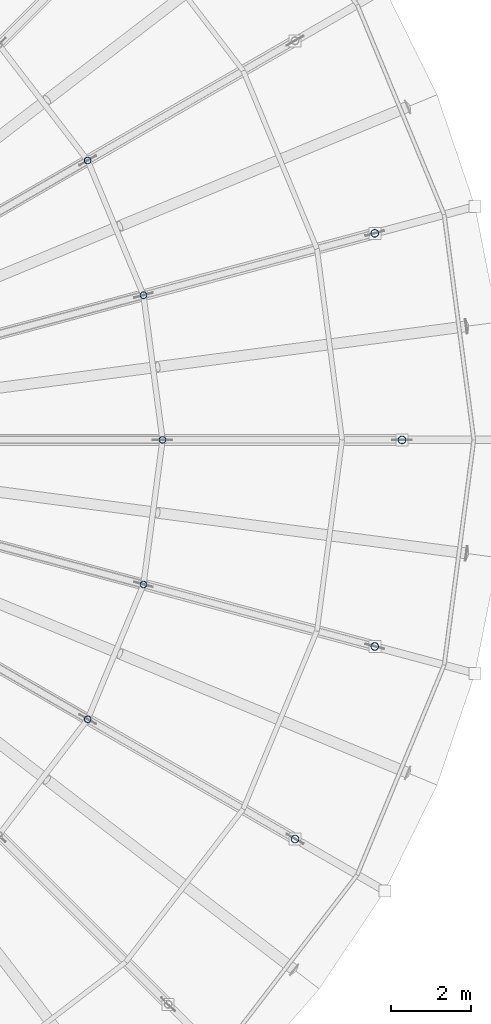
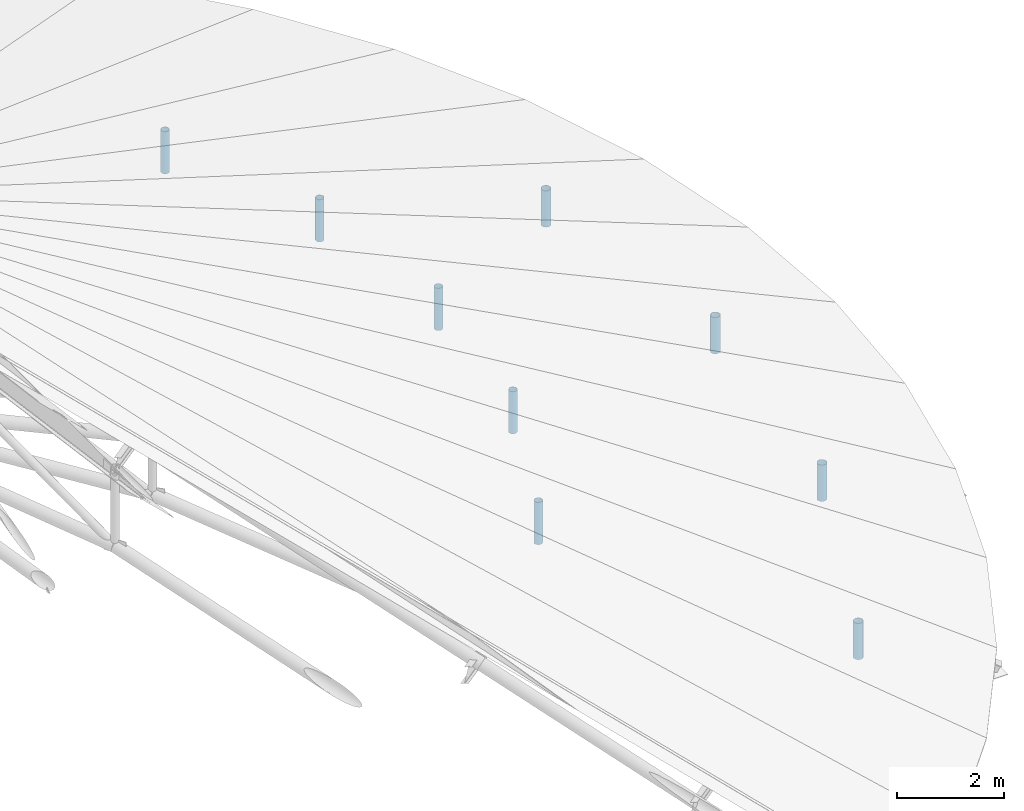
# One storey, part 75 of 107: 9 members.
"""IFC4 building model written with IfcOpenShell, lengths in metres."""

import ifcopenshell
import ifcopenshell.guid

model = None  # the IFC model being written
_history = None  # IfcOwnerHistory: only IFC2X3 demands one
_inside = {}  # id of a spatial element -> (the spatial element, [elements in it])
_under = {}  # id of a project, library or spatial element -> (it, [spatial elements below it])
_declared = {}  # id of a project -> (the project, [libraries it declares])
_typed = {}  # id of a type object -> (the type object, [elements of that type])
_made_of = {}  # id of a material, layer set ... -> (it, [elements and type objects made of it])


def new_model(schema):
    """Start an empty IFC model of exactly this schema.

    Asked for "IFC4X3", IfcOpenShell would pick the latest addendum, in which some entities
    have other attributes; the version numbers below select the first issue.
    IFC2X3 requires an IfcOwnerHistory on every rooted entity: one is made here for all.
    """
    global model, _history
    if schema == "IFC4X3":
        model = ifcopenshell.file(schema_version=(4, 3, 0, 0))
    else:
        model = ifcopenshell.file(schema=schema)
    _inside.clear()
    _under.clear()
    _declared.clear()
    _typed.clear()
    _made_of.clear()
    _history = None
    if model.schema == "IFC2X3":
        org = make("IfcOrganization", Name="unknown")
        user = make(
            "IfcPersonAndOrganization",
            ThePerson=make("IfcPerson", FamilyName="unknown"),
            TheOrganization=org,
        )
        app = make(
            "IfcApplication",
            ApplicationDeveloper=org,
            Version="unknown",
            ApplicationFullName="unknown",
            ApplicationIdentifier="unknown",
        )
        _history = make(
            "IfcOwnerHistory",
            OwningUser=user,
            OwningApplication=app,
            ChangeAction="ADDED",
            CreationDate=0,
        )
    return model


def make(cls, **values):
    """One entity of the class cls with the attributes given. An attribute that is None is left unset."""
    return model.create_entity(
        cls, **{name: value for name, value in values.items() if value is not None}
    )


def rooted(cls, **values):
    """An entity with a GlobalId (a new one), such as an element, a storey or a relation."""
    return make(cls, GlobalId=ifcopenshell.guid.new(), OwnerHistory=_history, **values)


def si_unit(unit_type, name, prefix=None):
    """IfcSIUnit, for example si_unit("LENGTHUNIT", "METRE", prefix="MILLI")."""
    return make("IfcSIUnit", UnitType=unit_type, Prefix=prefix, Name=name)


def derived_unit(unit_type, elements):
    """IfcDerivedUnit: a product of units, each with its exponent."""
    return make(
        "IfcDerivedUnit",
        Elements=[
            make("IfcDerivedUnitElement", Unit=unit, Exponent=power)
            for unit, power in elements
        ],
        UnitType=unit_type,
    )


def assignment(units):
    """IfcUnitAssignment: the units of a project."""
    return None if units is None else make("IfcUnitAssignment", Units=units)


def point(xyz):
    """IfcCartesianPoint."""
    return None if xyz is None else make("IfcCartesianPoint", Coordinates=xyz)


def direction(xyz):
    """IfcDirection."""
    return None if xyz is None else make("IfcDirection", DirectionRatios=xyz)


def frame(location, z_axis=None, x_axis=None):
    """IfcAxis2Placement3D, a coordinate frame: its origin and axes. An axis left out is left unset."""
    return make(
        "IfcAxis2Placement3D",
        Location=point(location),
        Axis=direction(z_axis),
        RefDirection=direction(x_axis),
    )


def frame_2d(location, x_axis=None):
    """IfcAxis2Placement2D, a coordinate frame in the plane: its origin and x axis."""
    return make(
        "IfcAxis2Placement2D", Location=point(location), RefDirection=direction(x_axis)
    )


def origin():
    """The frame at (0, 0, 0) with its axes left unset."""
    return frame((0.0, 0.0, 0.0))


def origin_2d():
    """The frame at (0, 0) in the plane with its x axis left unset."""
    return frame_2d((0.0, 0.0))


def place(relative_to, where):
    """IfcLocalPlacement: puts the frame where relative to a parent placement (None: the world)."""
    return make(
        "IfcLocalPlacement", PlacementRelTo=relative_to, RelativePlacement=where
    )


def context(
    kind, dimensions, precision=None, world=None, true_north=None, identifier=None
):
    """IfcGeometricRepresentationContext, for example the 3D "Model" context."""
    return make(
        "IfcGeometricRepresentationContext",
        ContextIdentifier=identifier,
        ContextType=kind,
        CoordinateSpaceDimension=dimensions,
        Precision=precision,
        WorldCoordinateSystem=world,
        TrueNorth=true_north,
    )


def subcontext(parent, identifier, kind, view, scale=None):
    """IfcGeometricRepresentationSubContext, for example "Body" below "Model"."""
    return make(
        "IfcGeometricRepresentationSubContext",
        ContextIdentifier=identifier,
        ContextType=kind,
        ParentContext=parent,
        TargetScale=scale,
        TargetView=view,
    )


def project(units=None, contexts=None):
    """IfcProject with its units and contexts."""
    return rooted(
        "IfcProject",
        Name="project",
        RepresentationContexts=contexts,
        UnitsInContext=assignment(units),
    )


def spatial(cls, under=None, at=None, **own):
    """A site, building, storey or space (cls), placed at a placement, below another one or the project."""
    s = rooted(cls, ObjectPlacement=at, **own)
    if under is not None:
        _under.setdefault(under.id(), (under, []))[1].append(s)
    return s


def profile(cls, at=None, kind="AREA", **sizes):
    """A parametric profile (cls). Its sizes go by their IFC names, for example OverallWidth=200.0."""
    return make(cls, ProfileType=kind, Position=at, **sizes)


def hollow_circle(**sizes):
    """IfcCircleHollowProfileDef."""
    return profile("IfcCircleHollowProfileDef", **sizes)


def extrude(swept, where, along, depth):
    """IfcExtrudedAreaSolid: the profile swept, set in the frame where, extruded along a direction by depth."""
    return make(
        "IfcExtrudedAreaSolid",
        SweptArea=swept,
        Position=where,
        ExtrudedDirection=direction(along),
        Depth=depth,
    )


def shape(context_of_items, identifier, shape_type, items):
    """IfcShapeRepresentation: the items that make up one representation, for example the "Body"."""
    return make(
        "IfcShapeRepresentation",
        ContextOfItems=context_of_items,
        RepresentationIdentifier=identifier,
        RepresentationType=shape_type,
        Items=items,
    )


def material(Name=None, Category=None):
    """IfcMaterial."""
    return make("IfcMaterial", Name=Name, Category=Category)


def material_profile(
    of_material, cross_section, Name=None, Category=None, Priority=None
):
    """IfcMaterialProfile: a cross section and its material."""
    return make(
        "IfcMaterialProfile",
        Name=Name,
        Material=of_material,
        Profile=cross_section,
        Priority=Priority,
        Category=Category,
    )


def profile_set(profiles, Name=None, composite=None):
    """IfcMaterialProfileSet."""
    return make(
        "IfcMaterialProfileSet",
        Name=Name,
        MaterialProfiles=profiles,
        CompositeProfile=composite,
    )


def made_of(thing, what):
    """Note that an element or type object is made of a material, layer set ...; save() writes the relation."""
    if what is not None:
        _made_of.setdefault(what.id(), (what, []))[1].append(thing)
    return thing


def type_object(cls, material=None, **own):
    """A type object (cls), such as IfcWallType, which elements share."""
    return made_of(rooted(cls, **own), material)


def element(
    cls,
    number,
    at=None,
    inside=None,
    cuts=None,
    type_object=None,
    material=None,
    context=None,
    identifier="Body",
    shape_type=None,
    held_by="IfcProductDefinitionShape",
    body=None,
    shapes=None,
    **own,
):
    """One element of the class cls, such as IfcWall. Its Tag is "e" and its number.

    at: its placement. inside: the storey or other place that contains it. cuts: it is an
    opening in that element (IfcRelVoidsElement). A single representation is given by context,
    identifier, shape_type and body (its items); several are given by shapes. held_by: the class
    of the entity that holds the representations. save() writes the other relations.
    """
    e = rooted(cls, Tag="e%d" % number, ObjectPlacement=at, **own)
    if body is not None:
        shapes = [shape(context, identifier, shape_type, body)]
    if shapes is not None:
        e.Representation = make(held_by, Representations=shapes)
    if inside is not None:
        _inside.setdefault(inside.id(), (inside, []))[1].append(e)
    if cuts is not None:
        rooted(
            "IfcRelVoidsElement", RelatingBuildingElement=cuts, RelatedOpeningElement=e
        )
    if type_object is not None:
        _typed.setdefault(type_object.id(), (type_object, []))[1].append(e)
    return made_of(e, material)


def aggregate(whole, parts):
    """IfcRelAggregates: a whole, such as a stair, and the parts it consists of."""
    return rooted("IfcRelAggregates", RelatingObject=whole, RelatedObjects=parts)


def save(model, path):
    """Write the relations noted so far, then the file.

    IfcRelAggregates (storeys below a building ...), IfcRelContainedInSpatialStructure (elements
    in a storey), IfcRelDefinesByType, IfcRelAssociatesMaterial and IfcRelDeclares: one each for
    every whole, place, type object, material and project.
    """
    for whole, parts in _under.values():
        aggregate(whole, parts)
    for where, things in _inside.values():
        rooted(
            "IfcRelContainedInSpatialStructure",
            RelatedElements=things,
            RelatingStructure=where,
        )
    for kind, things in _typed.values():
        rooted("IfcRelDefinesByType", RelatedObjects=things, RelatingType=kind)
    for what, things in _made_of.values():
        rooted("IfcRelAssociatesMaterial", RelatedObjects=things, RelatingMaterial=what)
    for by, libraries in _declared.values():
        rooted("IfcRelDeclares", RelatingContext=by, RelatedDefinitions=libraries)
    model.write(path)


model = new_model("IFC4")

# Units and contexts
model_context = context("Model", 3, precision=1e-05, world=origin(), true_north=direction((0.0, 1.0)))
body_context = subcontext(model_context, "Body", "Model", "MODEL_VIEW")
ifc_project = project(units=[si_unit("LENGTHUNIT", "METRE"), si_unit("AREAUNIT", "SQUARE_METRE"), si_unit("VOLUMEUNIT", "CUBIC_METRE"), si_unit("PLANEANGLEUNIT", "RADIAN"), si_unit("MASSUNIT", "GRAM", prefix="KILO"), si_unit("THERMODYNAMICTEMPERATUREUNIT", "KELVIN"), si_unit("TIMEUNIT", "SECOND"), derived_unit("THERMALTRANSMITTANCEUNIT", [(si_unit("MASSUNIT", "GRAM", prefix="KILO"), 1), (si_unit("THERMODYNAMICTEMPERATUREUNIT", "KELVIN"), -1), (si_unit("TIMEUNIT", "SECOND"), -3)])], contexts=[model_context])

# Site, building, storey
site_placement = place(None, origin())
site = spatial("IfcSite", under=ifc_project, at=site_placement, CompositionType="ELEMENT")
building_placement = place(site_placement, origin())
building = spatial("IfcBuilding", under=site, at=building_placement, Name="Cambertide Market Hall", CompositionType="ELEMENT")
storey_placement = place(building_placement, frame((0.0, 0.0, 18.300048828125)))
storey = spatial("IfcBuildingStorey", under=building, at=storey_placement, Name="RF", CompositionType="ELEMENT", Elevation=18.300048828125)

# Members
ifc_material_1 = material(Name="Steel S355", Category="steel")
ifc_material_profile_1 = material_profile(ifc_material_1, hollow_circle(Radius=0.084228515625, WallThickness=0.00634765625, at=origin_2d()), Name="CHS 168.3x6.3")
ifc_profile_set_1 = profile_set([ifc_material_profile_1], Name="Steel S355")
member_type_1 = type_object("IfcMemberType", Name="Structural Brace CHS 168.3x6.3", PredefinedType="BRACE", material=ifc_profile_set_1)
for number, where, z_axis, x_axis, name in (
    (1, (117.124267578125, 65.0, -7.756103515625), (0.0, 0.0, 1.0), (1.0, 0.0, 0.0), "RWV-E-08-V2"),
    (2, (118.52294921875, 68.37646484375, -7.756103515625), (0.0, 0.0, 1.0), (1.0, 0.0, 0.0), "RWV-E-10-V2"),
    (3, (119.0, 72.0, -7.756103515625), (0.0, 0.0, 1.0), (1.0, 0.0, 0.0), "RWV-E-12-V2"),
    (4, (118.52294921875, 75.62353515625, -7.756103515625), (0.0, 0.0, 1.0), (1.0, 0.0, 0.0), "RWV-E-14-V2"),
    (5, (117.124267578125, 79.0, -7.756103515625), (0.0, 0.0, 1.0), (1.0, 0.0, 0.0), "RWV-E-16-V2"),
):
    element("IfcMember", number, at=place(storey_placement, frame(where, z_axis=z_axis, x_axis=x_axis)), inside=storey, type_object=member_type_1, Name=name, PredefinedType="BRACE", context=body_context, shape_type="SweptSolid", body=[
        extrude(hollow_circle(Radius=0.084228515625, WallThickness=0.00634765625, at=origin_2d()), origin(), (0.0, 0.0, 1.0), 0.966064453125),
    ])
ifc_material_2 = material(Name="Steel S355", Category="steel")
ifc_material_profile_2 = material_profile(ifc_material_2, hollow_circle(Radius=0.096923828125, WallThickness=0.00634765625, at=origin_2d()), Name="CHS 193.7x6.3")
ifc_profile_set_2 = profile_set([ifc_material_profile_2], Name="Steel S355")
member_type_2 = type_object("IfcMemberType", Name="Structural Brace CHS 193.7x6.3", PredefinedType="BRACE", material=ifc_profile_set_2)
for number, where, z_axis, x_axis, name in (
    (6, (122.320556640625, 62.0, -10.380126953125), (0.0, 0.0, 1.0), (1.0, 0.0, 0.0), "RWV-E-08-V3"),
    (7, (124.318603515625, 66.82373046875, -10.380126953125), (0.0, 0.0, 1.0), (1.0, 0.0, 0.0), "RWV-E-10-V3"),
    (8, (125.0, 72.0, -10.380126953125), (0.0, 0.0, 1.0), (1.0, 0.0, 0.0), "RWV-E-12-V3"),
    (9, (124.318603515625, 77.17626953125, -10.380126953125), (0.0, 0.0, 1.0), (1.0, 0.0, 0.0), "RWV-E-14-V3"),
):
    element("IfcMember", number, at=place(storey_placement, frame(where, z_axis=z_axis, x_axis=x_axis)), inside=storey, type_object=member_type_2, Name=name, PredefinedType="BRACE", context=body_context, shape_type="SweptSolid", body=[
        extrude(hollow_circle(Radius=0.096923828125, WallThickness=0.00634765625, at=origin_2d()), origin(), (0.0, 0.0, 1.0), 0.830078125),
    ])

save(model, "model.ifc")
